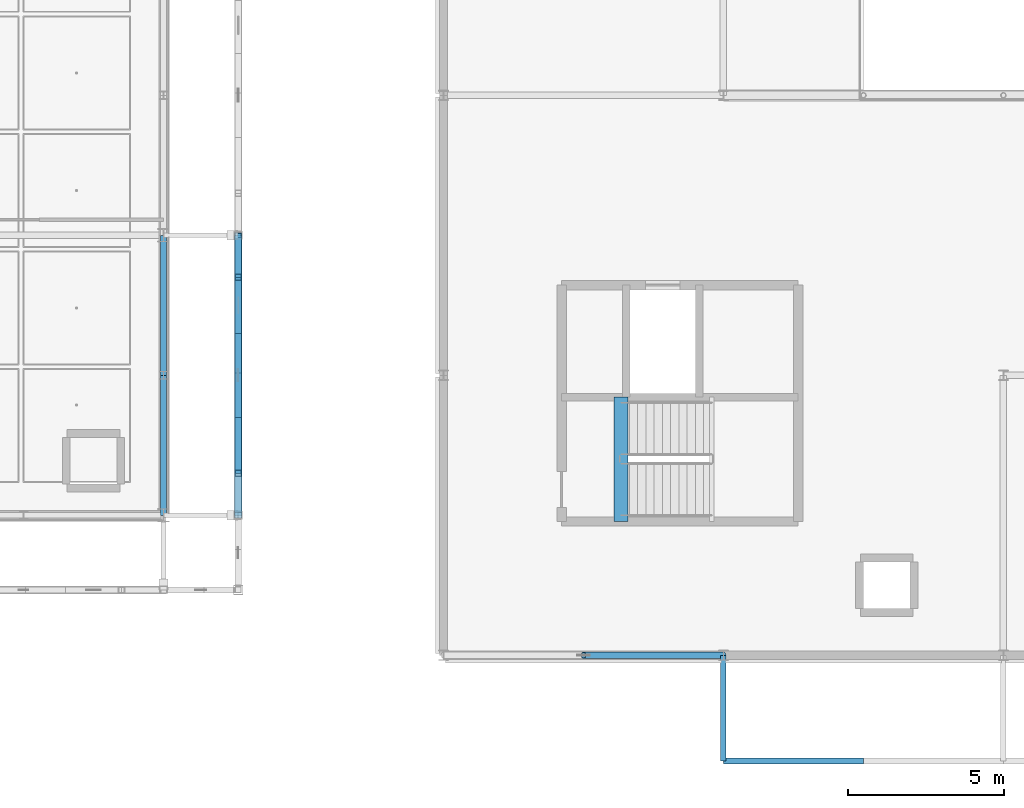
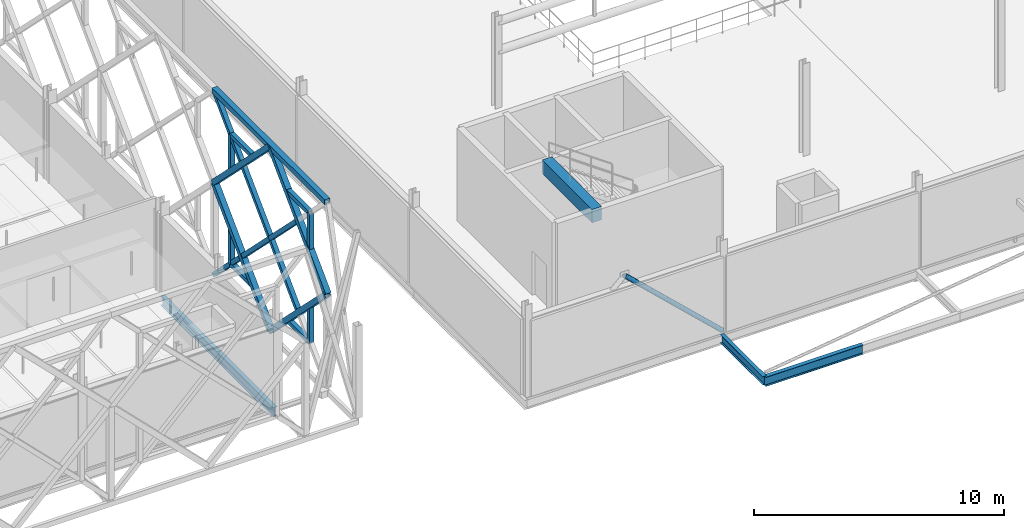
# One storey, part 32 of 140: 19 members, 5 beams.
"""IFC4 building model written with IfcOpenShell, lengths in metres."""

from ifc_helpers import new_model, si_unit, direction, frame, origin, origin_2d, place, context, subcontext, project, spatial, rectangle, hollow_rectangle, hollow_circle, i_section, extrude, material, material_profile, profile_set, type_object, element, save


model = new_model("IFC4")

# Units and contexts
model_context = context("Model", 3, precision=1e-05, world=origin(), true_north=direction((0.0, 1.0)))
body_context = subcontext(model_context, "Body", "Model", "MODEL_VIEW")
ifc_project = project(units=[si_unit("LENGTHUNIT", "METRE"), si_unit("AREAUNIT", "SQUARE_METRE"), si_unit("VOLUMEUNIT", "CUBIC_METRE"), si_unit("PLANEANGLEUNIT", "RADIAN"), si_unit("MASSUNIT", "GRAM", prefix="KILO"), si_unit("THERMODYNAMICTEMPERATUREUNIT", "KELVIN"), si_unit("POWERUNIT", "WATT")], contexts=[model_context])

# Site, building, storey
site_placement = place(None, origin())
site = spatial("IfcSite", under=ifc_project, at=site_placement, CompositionType="ELEMENT")
building_placement = place(site_placement, origin())
building = spatial("IfcBuilding", under=site, at=building_placement, Name="Tallowbark Science Centre", CompositionType="ELEMENT")
storey_placement = place(building_placement, frame((0.0, 0.0, 9.89990234375)))
storey = spatial("IfcBuildingStorey", under=building, at=storey_placement, Name="L02", CompositionType="ELEMENT", Elevation=9.89990234375)

# Beams
ifc_material_1 = material(Name="Concrete Grade N40 (40 MPa)", Category="concrete")
ifc_material_profile_1 = material_profile(ifc_material_1, rectangle(XDim=0.449951171875, YDim=0.64990234375, at=origin_2d()), Name="RC450x650")
ifc_profile_set_1 = profile_set([ifc_material_profile_1], Name="Concrete Grade N40 (40 MPa)")
beam_type_1 = type_object("IfcBeamType", Name="BM-GB2-N40", PredefinedType="BEAM", material=ifc_profile_set_1)
beam_1_placement = place(storey_placement, frame((118.2099609375, 4.300048828125, 4.175048828125), z_axis=(0.0, 1.0, 0.0), x_axis=(-1.0, 0.0, 0.0)))
element("IfcBeam", 1, at=beam_1_placement, inside=storey, type_object=beam_type_1, Name="Stair ST-06 Landing Nosing Beam L02", PredefinedType="BEAM", context=body_context, shape_type="SweptSolid", body=[
    extrude(rectangle(XDim=0.449951171875, YDim=0.64990234375, at=origin_2d()), origin(), (0.0, 0.0, 1.0), 3.994873046875),
])
ifc_material_2 = material(Name="Structural Steel Grade 300PLUS (300 MPa)", Category="steel")
ifc_material_profile_2 = material_profile(ifc_material_2, i_section(OverallWidth=0.177734375, OverallDepth=0.406494140625, WebThickness=0.0078125, FlangeThickness=0.0126953125, FilletRadius=0.011474609375, at=origin_2d()), Name="410UB59.7")
ifc_profile_set_2 = profile_set([ifc_material_profile_2], Name="Structural Steel Grade 300PLUS (300 MPa)")
beam_type_2 = type_object("IfcBeamType", Name="BM-UB410", PredefinedType="BEAM", material=ifc_profile_set_2)
beam_2_placement = place(storey_placement, frame((121.5, -3.39990234375, -0.383056640625), z_axis=(0.0, 1.0, 0.0), x_axis=(-1.0, 0.0, 0.0)))
element("IfcBeam", 2, at=beam_2_placement, inside=storey, type_object=beam_type_2, Name="Primary Girder GRDY-L02-1215--34-0", PredefinedType="BEAM", context=body_context, shape_type="SweptSolid", body=[
    extrude(i_section(OverallWidth=0.177734375, OverallDepth=0.406494140625, WebThickness=0.0078125, FlangeThickness=0.0126953125, FilletRadius=0.011474609375, at=origin_2d()), origin(), (0.0, 0.0, 1.0), 3.39990234375),
])

# Members
ifc_material_3 = material(Name="Structural Steel Grade C350L0 (350 MPa)", Category="steel")
ifc_material_profile_3 = material_profile(ifc_material_3, hollow_circle(Radius=0.109619140625, WallThickness=0.00830078125, at=origin_2d()), Name="219.1x8.2CHS")
ifc_profile_set_3 = profile_set([ifc_material_profile_3], Name="Structural Steel Grade C350L0 (350 MPa)")
member_type_1 = type_object("IfcMemberType", Name="CBF-219CHS", PredefinedType="BRACE", material=ifc_profile_set_3)
member_1_placement = place(storey_placement, frame((121.5, 0.0, 0.0), z_axis=(-0.72701315255, 0.0, 0.686623532964), x_axis=(0.0, -1.0, 0.0)))
element("IfcMember", 3, at=member_1_placement, inside=storey, type_object=member_type_1, Name="Concentric Chevron Brace CBF-THT-S1 L02 Right", PredefinedType="BRACE", context=body_context, shape_type="SweptSolid", body=[
    extrude(hollow_circle(Radius=0.109619140625, WallThickness=0.00830078125, at=origin_2d()), origin(), (0.0, 0.0, 1.0), 6.189697265625),
])
ifc_material_4 = material(Name="White Architectural Painted Steel Grade C350L0 (350 MPa)", Category="steel")
ifc_material_profile_4 = material_profile(ifc_material_4, hollow_rectangle(XDim=0.25, YDim=0.25, WallThickness=0.009033203125, at=origin_2d()), Name="250x250x9.0SHS")
ifc_profile_set_4 = profile_set([ifc_material_profile_4], Name="White Architectural Painted Steel Grade C350L0 (350 MPa)")
member_type_2 = type_object("IfcMemberType", Name="SCR-CHD200", PredefinedType="CHORD", material=ifc_profile_set_4)
member_2_placement = place(storey_placement, frame((105.89990234375, 4.5, 9.0), z_axis=(0.0, 1.0, 0.0), x_axis=(-1.0, 0.0, 0.0)))
element("IfcMember", 4, at=member_2_placement, inside=storey, type_object=member_type_2, Name="Star Screen Frame Chord E-29", PredefinedType="CHORD", context=body_context, shape_type="SweptSolid", body=[
    extrude(hollow_rectangle(XDim=0.25, YDim=0.25, WallThickness=0.009033203125, at=origin_2d()), origin(), (0.0, 0.0, 1.0), 9.0),
])
for number, where, z_axis, x_axis, name in (
    (5, (105.89990234375, 9.0, 0.0), (0.0, 0.707106781187, 0.707106781187), (-1.0, 0.0, 0.0), "Star Screen Octagram Diamond Chord E-29-1"),
    (6, (105.89990234375, 13.5, 4.5), (0.0, -0.707106781187, 0.707106781187), (1.0, 0.0, 0.0), "Star Screen Octagram Diamond Chord E-29-2"),
    (7, (105.89990234375, 9.0, 9.0), (0.0, -0.707106781187, -0.707106781187), (1.0, 0.0, 0.0), "Star Screen Octagram Diamond Chord E-29-3"),
    (8, (105.89990234375, 4.5, 4.5), (0.0, 0.707106781187, -0.707106781187), (-1.0, 0.0, 0.0), "Star Screen Octagram Diamond Chord E-29-4"),
):
    element("IfcMember", number, at=place(storey_placement, frame(where, z_axis=z_axis, x_axis=x_axis)), inside=storey, type_object=member_type_2, Name=name, PredefinedType="CHORD", context=body_context, shape_type="SweptSolid", body=[
        extrude(hollow_rectangle(XDim=0.25, YDim=0.25, WallThickness=0.009033203125, at=origin_2d()), origin(), (0.0, 0.0, 1.0), 6.364013671875),
    ])
ifc_material_profile_5 = material_profile(ifc_material_4, hollow_rectangle(XDim=0.199951171875, YDim=0.199951171875, WallThickness=0.009033203125, at=origin_2d()), Name="200x200x9.0SHS")
ifc_profile_set_5 = profile_set([ifc_material_profile_5], Name="White Architectural Painted Steel Grade C350L0 (350 MPa)")
member_type_3 = type_object("IfcMemberType", Name="SCR-STAR139", PredefinedType="BRACE", material=ifc_profile_set_5)
member_3_placement = place(storey_placement, frame((105.89990234375, 6.75, 2.25), z_axis=(0.0, 0.707106781187, 0.707106781187), x_axis=(-1.0, 0.0, 0.0)))
element("IfcMember", 9, at=member_3_placement, inside=storey, type_object=member_type_3, Name="Star Screen Continuous X-Diagonal D1M E-29", PredefinedType="BRACE", context=body_context, shape_type="SweptSolid", body=[
    extrude(hollow_rectangle(XDim=0.199951171875, YDim=0.199951171875, WallThickness=0.009033203125, at=origin_2d()), origin(), (0.0, 0.0, 1.0), 6.364013671875),
])
for number, where, z_axis, x_axis, name in (
    (10, (105.89990234375, 11.25, 6.75), (0.0, 0.707106781187, 0.707106781187), (-1.0, 0.0, 0.0), "Star Screen Continuous X-Diagonal D1B E-29"),
    (11, (105.89990234375, 6.75, 6.75), (0.0, 0.707106781187, -0.707106781187), (-1.0, 0.0, 0.0), "Star Screen Split X-Diagonal D2B E-29"),
    (12, (105.89990234375, 9.0, 4.5), (0.0, 0.707106781187, -0.707106781187), (-1.0, 0.0, 0.0), "Star Screen Split X-Diagonal D2C E-29"),
    (13, (105.89990234375, 11.25, 2.25), (0.0, 0.707106781187, -0.707106781187), (-1.0, 0.0, 0.0), "Star Screen Split X-Diagonal D2D E-29"),
):
    element("IfcMember", number, at=place(storey_placement, frame(where, z_axis=z_axis, x_axis=x_axis)), inside=storey, type_object=member_type_3, Name=name, PredefinedType="BRACE", context=body_context, shape_type="SweptSolid", body=[
        extrude(hollow_rectangle(XDim=0.199951171875, YDim=0.199951171875, WallThickness=0.009033203125, at=origin_2d()), origin(), (0.0, 0.0, 1.0), 3.181884765625),
    ])
ifc_material_profile_6 = material_profile(ifc_material_4, hollow_rectangle(XDim=0.199951171875, YDim=0.199951171875, WallThickness=0.009033203125, at=origin_2d()), Name="200x200x9.0SHS")
ifc_profile_set_6 = profile_set([ifc_material_profile_6], Name="White Architectural Painted Steel Grade C350L0 (350 MPa)")
member_type_4 = type_object("IfcMemberType", Name="SCR-SUB150", PredefinedType="BRACE", material=ifc_profile_set_6)
member_4_placement = place(storey_placement, frame((105.89990234375, 5.85009765625, 1.35009765625), z_axis=(0.0, 1.0, 0.0), x_axis=(-1.0, 0.0, 0.0)))
element("IfcMember", 14, at=member_4_placement, inside=storey, type_object=member_type_4, Name="Star Screen Octagram Point Ray E-29-1", PredefinedType="BRACE", context=body_context, shape_type="SweptSolid", body=[
    extrude(hollow_rectangle(XDim=0.199951171875, YDim=0.199951171875, WallThickness=0.009033203125, at=origin_2d()), origin(), (0.0, 0.0, 1.0), 1.7998046875),
])
member_5_placement = place(storey_placement, frame((105.89990234375, 5.85009765625, 1.35009765625), z_axis=(0.0, 0.0, 1.0), x_axis=(1.0, 0.0, 0.0)))
element("IfcMember", 15, at=member_5_placement, inside=storey, type_object=member_type_4, Name="Star Screen Octagram Point Ray E-29-2", PredefinedType="BRACE", context=body_context, shape_type="SweptSolid", body=[
    extrude(hollow_rectangle(XDim=0.199951171875, YDim=0.199951171875, WallThickness=0.009033203125, at=origin_2d()), origin(), (0.0, 0.0, 1.0), 1.800048828125),
])
member_6_placement = place(storey_placement, frame((105.89990234375, 12.14990234375, 1.35009765625), z_axis=(0.0, -1.0, 0.0), x_axis=(1.0, 0.0, 0.0)))
element("IfcMember", 16, at=member_6_placement, inside=storey, type_object=member_type_4, Name="Star Screen Octagram Point Ray E-29-3", PredefinedType="BRACE", context=body_context, shape_type="SweptSolid", body=[
    extrude(hollow_rectangle(XDim=0.199951171875, YDim=0.199951171875, WallThickness=0.009033203125, at=origin_2d()), origin(), (0.0, 0.0, 1.0), 1.7998046875),
])
member_7_placement = place(storey_placement, frame((105.89990234375, 12.14990234375, 1.35009765625), z_axis=(0.0, 0.0, 1.0), x_axis=(1.0, 0.0, 0.0)))
element("IfcMember", 17, at=member_7_placement, inside=storey, type_object=member_type_4, Name="Star Screen Octagram Point Ray E-29-4", PredefinedType="BRACE", context=body_context, shape_type="SweptSolid", body=[
    extrude(hollow_rectangle(XDim=0.199951171875, YDim=0.199951171875, WallThickness=0.009033203125, at=origin_2d()), origin(), (0.0, 0.0, 1.0), 1.800048828125),
])
member_8_placement = place(storey_placement, frame((105.89990234375, 12.14990234375, 7.650146484375), z_axis=(0.0, -1.0, 0.0), x_axis=(1.0, 0.0, 0.0)))
element("IfcMember", 18, at=member_8_placement, inside=storey, type_object=member_type_4, Name="Star Screen Octagram Point Ray E-29-5", PredefinedType="BRACE", context=body_context, shape_type="SweptSolid", body=[
    extrude(hollow_rectangle(XDim=0.199951171875, YDim=0.199951171875, WallThickness=0.009033203125, at=origin_2d()), origin(), (0.0, 0.0, 1.0), 1.7998046875),
])
member_9_placement = place(storey_placement, frame((105.89990234375, 12.14990234375, 7.650146484375), z_axis=(0.0, 0.0, -1.0), x_axis=(1.0, 0.0, 0.0)))
element("IfcMember", 19, at=member_9_placement, inside=storey, type_object=member_type_4, Name="Star Screen Octagram Point Ray E-29-6", PredefinedType="BRACE", context=body_context, shape_type="SweptSolid", body=[
    extrude(hollow_rectangle(XDim=0.199951171875, YDim=0.199951171875, WallThickness=0.009033203125, at=origin_2d()), origin(), (0.0, 0.0, 1.0), 1.800048828125),
])
member_10_placement = place(storey_placement, frame((105.89990234375, 5.85009765625, 7.650146484375), z_axis=(0.0, 1.0, 0.0), x_axis=(-1.0, 0.0, 0.0)))
element("IfcMember", 20, at=member_10_placement, inside=storey, type_object=member_type_4, Name="Star Screen Octagram Point Ray E-29-7", PredefinedType="BRACE", context=body_context, shape_type="SweptSolid", body=[
    extrude(hollow_rectangle(XDim=0.199951171875, YDim=0.199951171875, WallThickness=0.009033203125, at=origin_2d()), origin(), (0.0, 0.0, 1.0), 1.7998046875),
])
member_11_placement = place(storey_placement, frame((105.89990234375, 5.85009765625, 7.650146484375), z_axis=(0.0, 0.0, -1.0), x_axis=(1.0, 0.0, 0.0)))
element("IfcMember", 21, at=member_11_placement, inside=storey, type_object=member_type_4, Name="Star Screen Octagram Point Ray E-29-8", PredefinedType="BRACE", context=body_context, shape_type="SweptSolid", body=[
    extrude(hollow_rectangle(XDim=0.199951171875, YDim=0.199951171875, WallThickness=0.009033203125, at=origin_2d()), origin(), (0.0, 0.0, 1.0), 1.800048828125),
])

# Beams
ifc_material_profile_7 = material_profile(ifc_material_2, i_section(OverallWidth=0.18994140625, OverallDepth=0.453857421875, WebThickness=0.008544921875, FlangeThickness=0.0126953125, FilletRadius=0.011474609375, at=origin_2d()), Name="460UB67.1")
ifc_profile_set_7 = profile_set([ifc_material_profile_7], Name="Structural Steel Grade 300PLUS (300 MPa)")
beam_type_3 = type_object("IfcBeamType", Name="SPN-UB460", PredefinedType="SPANDREL", material=ifc_profile_set_7)
for number, where, z_axis, x_axis, name in (
    (22, (121.5, -3.39990234375, -0.40673828125), (1.0, 0.0, 0.0), (0.0, 1.0, 0.0), "Primary Girder GRDX-L02-1215-1260--34"),
    (23, (103.5, 4.5, -0.40673828125), (0.0, 1.0, 0.0), (-1.0, 0.0, 0.0), "Primary Girder GRDY-L02-1035-45-90"),
    (24, (103.5, 9.0, -0.40673828125), (0.0, 1.0, 0.0), (-1.0, 0.0, 0.0), "Primary Girder GRDY-L02-1035-90-135"),
):
    element("IfcBeam", number, at=place(storey_placement, frame(where, z_axis=z_axis, x_axis=x_axis)), inside=storey, type_object=beam_type_3, Name=name, PredefinedType="SPANDREL", context=body_context, shape_type="SweptSolid", body=[
        extrude(i_section(OverallWidth=0.18994140625, OverallDepth=0.453857421875, WebThickness=0.008544921875, FlangeThickness=0.0126953125, FilletRadius=0.011474609375, at=origin_2d()), origin(), (0.0, 0.0, 1.0), 4.5),
    ])

save(model, "model.ifc")
